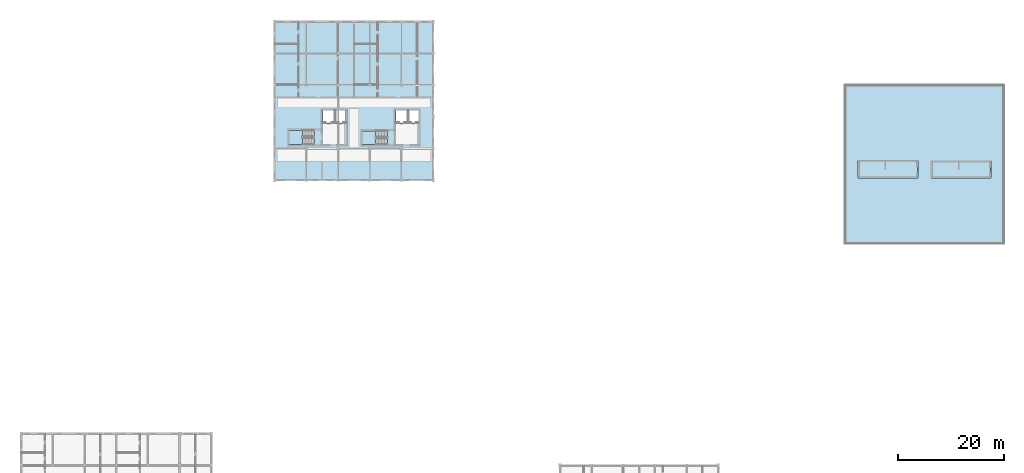
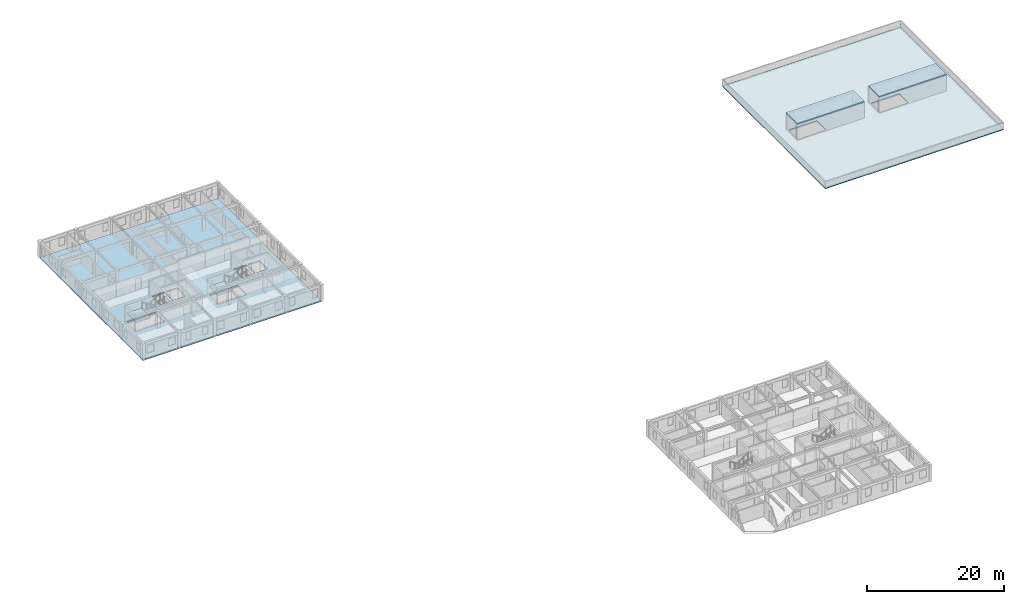
# One storey, part 3 of 23: 6 slabs, 2 elements without a shape of their own.
"""IFC4 building model written with IfcOpenShell, lengths in metres."""

from ifc_helpers import new_model, si_unit, direction, frame, origin, place, context, subcontext, project, spatial, polyline, outline, extrude, material, layer, layer_set, type_object, element, aggregate, save


model = new_model("IFC4")

# Units and contexts
model_context = context("Model", 3, precision=1e-05, world=origin(), true_north=direction((0.0, 1.0)))
body_context = subcontext(model_context, "Body", "Model", "MODEL_VIEW")
ifc_project = project(units=[si_unit("LENGTHUNIT", "METRE"), si_unit("AREAUNIT", "SQUARE_METRE"), si_unit("VOLUMEUNIT", "CUBIC_METRE"), si_unit("PLANEANGLEUNIT", "RADIAN"), si_unit("MASSUNIT", "GRAM", prefix="KILO"), si_unit("POWERUNIT", "WATT"), si_unit("THERMODYNAMICTEMPERATUREUNIT", "KELVIN")], contexts=[model_context])

# Site, building, storey
site_placement = place(None, origin())
site = spatial("IfcSite", under=ifc_project, at=site_placement, CompositionType="ELEMENT")
building_placement = place(site_placement, origin())
building = spatial("IfcBuilding", under=site, at=building_placement, Name="Ruvembo Vaulted Housing Court", CompositionType="ELEMENT")
storey_placement = place(building_placement, frame((0.0, 0.0, 26.89990234375)))
storey = spatial("IfcBuildingStorey", under=building, at=storey_placement, Name="L08", CompositionType="ELEMENT", Elevation=26.89990234375)

# Slab
ifc_material_1 = material(Name="Concrete C30/37", Category="concrete")
ifc_layer_1 = layer(ifc_material_1, 0.22509765625, Name="Concrete C30/37")
ifc_layer_set_1 = layer_set([ifc_layer_1], Name="Concrete C30/37")
slab_type_1 = type_object("IfcSlabType", Name="SL-FLR-225", PredefinedType="FLOOR", material=ifc_layer_set_1)
slab_1_placement = place(storey_placement, frame((0.0, 0.0, -0.224853515625)))
element("IfcSlab", 1, at=slab_1_placement, inside=storey, type_object=slab_type_1, Name="Block B L08 Structural Floor Slab", PredefinedType="FLOOR", context=body_context, shape_type="SweptSolid", body=[
    extrude(outline(polyline([(78.0, 84.0), (78.0, 114.0), (48.0, 114.0), (48.0, 84.0), (78.0, 84.0)]), holes=[polyline([(55.5, 93.449951171875), (50.75, 93.449951171875), (50.75, 90.75), (55.5, 90.75), (55.5, 93.449951171875)]), polyline([(57.14990234375, 94.85009765625), (59.35009765625, 94.85009765625), (59.35009765625, 97.25), (57.14990234375, 97.25), (57.14990234375, 94.85009765625)]), polyline([(59.60009765625, 94.85009765625), (61.449951171875, 94.85009765625), (61.449951171875, 97.25), (59.60009765625, 97.25), (59.60009765625, 94.85009765625)]), polyline([(69.35009765625, 93.35009765625), (64.550048828125, 93.35009765625), (64.550048828125, 90.75), (69.35009765625, 90.75), (69.35009765625, 93.35009765625)]), polyline([(70.949951171875, 94.85009765625), (73.14990234375, 94.85009765625), (73.14990234375, 97.25), (70.949951171875, 97.25), (70.949951171875, 94.85009765625)]), polyline([(73.39990234375, 94.85009765625), (75.25, 94.85009765625), (75.25, 97.25), (73.39990234375, 97.25), (73.39990234375, 94.85009765625)])]), origin(), (0.0, 0.0, 1.0), 0.224853515625),
])

# Stair, slab
ifc_material_2 = material(Name="Concrete C35/45", Category="concrete")
stair_type_1 = type_object("IfcStairType", Name="STR-CORE-1250", PredefinedType="HALF_TURN_STAIR", material=ifc_material_2)
stair_1_placement = place(storey_placement, origin())
stair_1 = element("IfcStair", 2, at=stair_1_placement, inside=storey, type_object=stair_type_1, Name="L08 Protected Exit Stair ST-B1", PredefinedType="HALF_TURN_STAIR")
ifc_layer_2 = layer(ifc_material_1, 0.201904296875, Name="Concrete C30/37")
ifc_layer_set_2 = layer_set([ifc_layer_2], Name="Concrete C30/37")
slab_type_2 = type_object("IfcSlabType", Name="SL-LAND-202", PredefinedType="LANDING", material=ifc_layer_set_2)
slab_2_placement = place(storey_placement, frame((0.0, 0.0, 1.400146484375)))
slab_2 = element("IfcSlab", 3, at=slab_2_placement, type_object=slab_type_2, Name="ST-B1 landing 1", PredefinedType="LANDING", context=body_context, shape_type="SweptSolid", body=[
    extrude(outline(polyline([(53.260009765625, 93.449951171875), (50.75, 93.449951171875), (50.75, 90.75), (53.260009765625, 90.75), (53.260009765625, 93.449951171875)])), origin(), (0.0, 0.0, 1.0), 0.199951171875),
])
aggregate(stair_1, [slab_2])

stair_type_2 = type_object("IfcStairType", Name="STR-CORE-1200", PredefinedType="HALF_TURN_STAIR", material=ifc_material_2)
stair_2_placement = place(storey_placement, origin())
stair_2 = element("IfcStair", 4, at=stair_2_placement, inside=storey, type_object=stair_type_2, Name="L08 Protected Exit Stair ST-B2", PredefinedType="HALF_TURN_STAIR")
slab_3_placement = place(storey_placement, frame((0.0, 0.0, 1.400146484375)))
slab_3 = element("IfcSlab", 5, at=slab_3_placement, type_object=slab_type_2, Name="ST-B2 landing 1", PredefinedType="LANDING", context=body_context, shape_type="SweptSolid", body=[
    extrude(outline(polyline([(67.110107421875, 93.35009765625), (64.550048828125, 93.35009765625), (64.550048828125, 90.75), (67.110107421875, 90.75), (67.110107421875, 93.35009765625)])), origin(), (0.0, 0.0, 1.0), 0.199951171875),
])
aggregate(stair_2, [slab_3])

# Slabs
ifc_layer_3 = layer(ifc_material_1, 0.18505859375, Name="Concrete C30/37")
ifc_layer_set_3 = layer_set([ifc_layer_3], Name="Concrete C30/37")
slab_type_3 = type_object("IfcSlabType", Name="SL-ROOF-185", PredefinedType="ROOF", material=ifc_layer_set_3)
slab_4_placement = place(storey_placement, frame((0.0, 0.0, -0.184814453125)))
element("IfcSlab", 6, at=slab_4_placement, inside=storey, type_object=slab_type_3, Name="Block D L08 Roof Slab", PredefinedType="ROOF", context=body_context, shape_type="SweptSolid", body=[
    extrude(outline(polyline([(186.0, 72.0), (186.0, 102.0), (156.0, 102.0), (156.0, 72.0), (186.0, 72.0)]), holes=[polyline([(163.5, 87.449951171875), (158.75, 87.449951171875), (158.75, 84.75), (163.5, 84.75), (163.5, 87.449951171875)]), polyline([(177.35009765625, 87.35009765625), (172.550048828125, 87.35009765625), (172.550048828125, 84.75), (177.35009765625, 84.75), (177.35009765625, 87.35009765625)])]), origin(), (0.0, 0.0, 1.0), 0.184814453125),
])
ifc_layer_4 = layer(ifc_material_1, 0.195068359375, Name="Concrete C30/37")
ifc_layer_set_4 = layer_set([ifc_layer_4], Name="Concrete C30/37")
slab_type_4 = type_object("IfcSlabType", Name="SL-ROOF-195", PredefinedType="ROOF", material=ifc_layer_set_4)
slab_5_placement = place(storey_placement, frame((0.0, 0.0, 2.85009765625)))
element("IfcSlab", 7, at=slab_5_placement, inside=storey, type_object=slab_type_4, Name="Core D1 L08 Headhouse Roof Slab", PredefinedType="ROOF", context=body_context, shape_type="SweptSolid", body=[
    extrude(outline(polyline([(158.449951171875, 84.449951171875), (169.800048828125, 84.449951171875), (169.800048828125, 87.75), (158.449951171875, 87.75), (158.449951171875, 84.449951171875)])), origin(), (0.0, 0.0, 1.0), 0.195068359375),
])
slab_6_placement = place(storey_placement, frame((0.0, 0.0, 2.85009765625)))
element("IfcSlab", 8, at=slab_6_placement, inside=storey, type_object=slab_type_4, Name="Core D2 L08 Headhouse Roof Slab", PredefinedType="ROOF", context=body_context, shape_type="SweptSolid", body=[
    extrude(outline(polyline([(172.25, 84.449951171875), (183.60009765625, 84.449951171875), (183.60009765625, 87.64990234375), (172.25, 87.64990234375), (172.25, 84.449951171875)])), origin(), (0.0, 0.0, 1.0), 0.195068359375),
])

save(model, "model.ifc")
